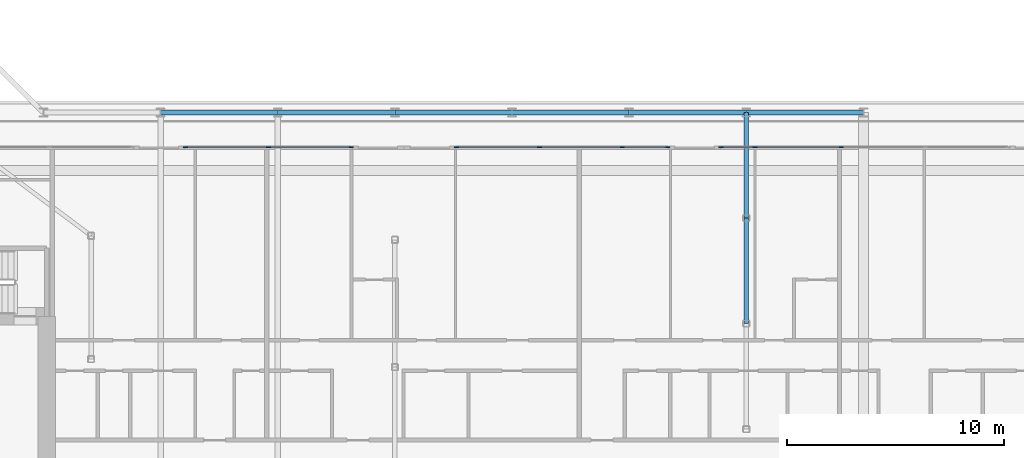
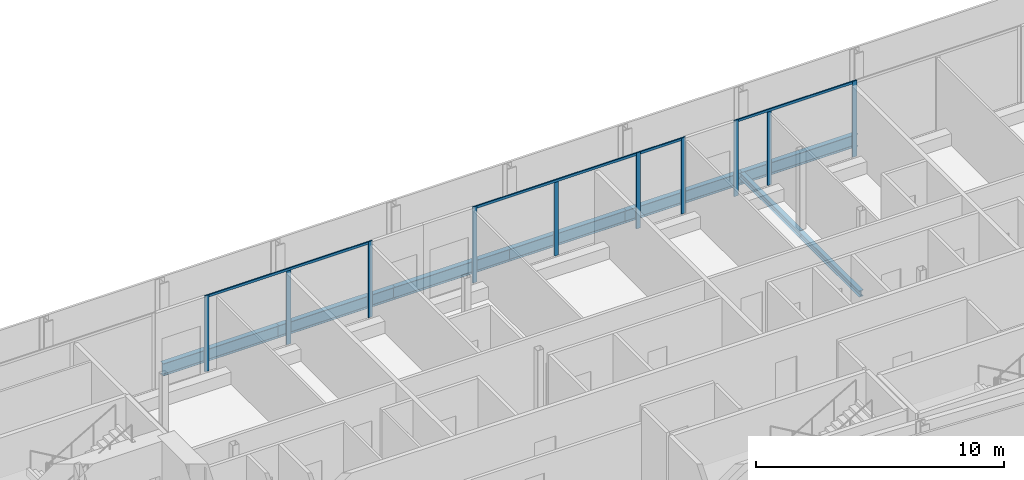
# One storey, part 8 of 29: 14 members, 8 beams, 4 elements without a shape of their own.
"""IFC4 building model written with IfcOpenShell, lengths in metres."""

from ifc_helpers import new_model, si_unit, direction, frame, origin, origin_2d, place, context, subcontext, project, spatial, rectangle, i_section, extrude, material, layer, layer_set, material_profile, profile_set, type_object, element, aggregate, save


model = new_model("IFC4")

# Units and contexts
model_context = context("Model", 3, precision=1e-05, world=origin(), true_north=direction((0.0, 1.0)))
body_context = subcontext(model_context, "Body", "Model", "MODEL_VIEW")
ifc_project = project(units=[si_unit("LENGTHUNIT", "METRE"), si_unit("AREAUNIT", "SQUARE_METRE"), si_unit("VOLUMEUNIT", "CUBIC_METRE"), si_unit("PLANEANGLEUNIT", "RADIAN"), si_unit("MASSUNIT", "GRAM", prefix="KILO")], contexts=[model_context])

# Site, building, storey
site_placement = place(None, origin())
site = spatial("IfcSite", under=ifc_project, at=site_placement, CompositionType="ELEMENT")
building_placement = place(site_placement, origin())
building = spatial("IfcBuilding", under=site, at=building_placement, Name="Kheshtan School and Residences Tower", CompositionType="ELEMENT")
storey_placement = place(building_placement, frame((0.0, 0.0, 179.89990234375)))
storey = spatial("IfcBuildingStorey", under=building, at=storey_placement, Name="L42", CompositionType="ELEMENT", Elevation=179.89990234375)

# Beams
ifc_material_1 = material(Name="Steel ASTM A992 Grade 50", Category="steel")
ifc_material_profile_1 = material_profile(ifc_material_1, i_section(OverallWidth=0.202880859375, OverallDepth=0.302978515625, WebThickness=0.007568359375, FlangeThickness=0.01318359375, FilletRadius=0.009033203125, at=origin_2d()), Name="W310x60")
ifc_profile_set_1 = profile_set([ifc_material_profile_1], Name="Steel ASTM A992 Grade 50")
beam_type_1 = type_object("IfcBeamType", Name="Beam FB1 W310x60 ASTM A992 Grade 50", PredefinedType="BEAM", material=ifc_profile_set_1)
for number, where, z_axis, x_axis, name in (
    (1, (85.39990234375, 45.60009765625, -0.301513671875), (0.0, -1.0, 0.0), (1.0, 0.0, 0.0), "Floor beam C067"),
    (2, (85.39990234375, 40.735107421875, -0.301513671875), (0.0, -1.0, 0.0), (1.0, 0.0, 0.0), "Floor beam IC"),
):
    element("IfcBeam", number, at=place(storey_placement, frame(where, z_axis=z_axis, x_axis=x_axis)), inside=storey, type_object=beam_type_1, Name=name, PredefinedType="BEAM", context=body_context, shape_type="SweptSolid", body=[
        extrude(i_section(OverallWidth=0.202880859375, OverallDepth=0.302978515625, WebThickness=0.007568359375, FlangeThickness=0.01318359375, FilletRadius=0.009033203125, at=origin_2d()), origin(), (0.0, 0.0, 1.0), 4.864990234375),
    ])
ifc_material_profile_2 = material_profile(ifc_material_1, i_section(OverallWidth=0.22802734375, OverallDepth=0.60302734375, WebThickness=0.010498046875, FlangeThickness=0.014892578125, FilletRadius=0.013427734375, at=origin_2d()), Name="W610x101")
ifc_profile_set_2 = profile_set([ifc_material_profile_2], Name="Steel ASTM A992 Grade 50")
beam_type_2 = type_object("IfcBeamType", Name="Beam SP2 W610x101 ASTM A992 Grade 50", PredefinedType="BEAM", material=ifc_profile_set_2)
beam_1_placement = place(storey_placement, frame((58.39990234375, 45.60009765625, -0.451416015625), z_axis=(1.0, 0.0, 0.0), x_axis=(0.0, 1.0, 0.0)))
element("IfcBeam", 3, at=beam_1_placement, inside=storey, type_object=beam_type_2, Name="Spandrel beam C062-C063", PredefinedType="BEAM", context=body_context, shape_type="SweptSolid", body=[
    extrude(i_section(OverallWidth=0.22802734375, OverallDepth=0.60302734375, WebThickness=0.010498046875, FlangeThickness=0.014892578125, FilletRadius=0.013427734375, at=origin_2d()), origin(), (0.0, 0.0, 1.0), 5.400146484375),
])
beam_2_placement = place(storey_placement, frame((63.800048828125, 45.60009765625, -0.451416015625), z_axis=(1.0, 0.0, 0.0), x_axis=(0.0, 1.0, 0.0)))
element("IfcBeam", 4, at=beam_2_placement, inside=storey, type_object=beam_type_2, Name="Spandrel beam C063-C064", PredefinedType="BEAM", context=body_context, shape_type="SweptSolid", body=[
    extrude(i_section(OverallWidth=0.22802734375, OverallDepth=0.60302734375, WebThickness=0.010498046875, FlangeThickness=0.014892578125, FilletRadius=0.013427734375, at=origin_2d()), origin(), (0.0, 0.0, 1.0), 5.39990234375),
])
beam_3_placement = place(storey_placement, frame((69.199951171875, 45.60009765625, -0.451416015625), z_axis=(1.0, 0.0, 0.0), x_axis=(0.0, 1.0, 0.0)))
element("IfcBeam", 5, at=beam_3_placement, inside=storey, type_object=beam_type_2, Name="Spandrel beam C064-C065", PredefinedType="BEAM", context=body_context, shape_type="SweptSolid", body=[
    extrude(i_section(OverallWidth=0.22802734375, OverallDepth=0.60302734375, WebThickness=0.010498046875, FlangeThickness=0.014892578125, FilletRadius=0.013427734375, at=origin_2d()), origin(), (0.0, 0.0, 1.0), 5.400146484375),
])
for number, where, z_axis, x_axis, name in (
    (6, (74.60009765625, 45.60009765625, -0.451416015625), (1.0, 0.0, 0.0), (0.0, 1.0, 0.0), "Spandrel beam C065-C066"),
    (7, (80.0, 45.60009765625, -0.451416015625), (1.0, 0.0, 0.0), (0.0, 1.0, 0.0), "Spandrel beam C066-C067"),
):
    element("IfcBeam", number, at=place(storey_placement, frame(where, z_axis=z_axis, x_axis=x_axis)), inside=storey, type_object=beam_type_2, Name=name, PredefinedType="BEAM", context=body_context, shape_type="SweptSolid", body=[
        extrude(i_section(OverallWidth=0.22802734375, OverallDepth=0.60302734375, WebThickness=0.010498046875, FlangeThickness=0.014892578125, FilletRadius=0.013427734375, at=origin_2d()), origin(), (0.0, 0.0, 1.0), 5.39990234375),
    ])
beam_4_placement = place(storey_placement, frame((85.39990234375, 45.60009765625, -0.451416015625), z_axis=(1.0, 0.0, 0.0), x_axis=(0.0, 1.0, 0.0)))
element("IfcBeam", 8, at=beam_4_placement, inside=storey, type_object=beam_type_2, Name="Spandrel beam C067-C068", PredefinedType="BEAM", context=body_context, shape_type="SweptSolid", body=[
    extrude(i_section(OverallWidth=0.22802734375, OverallDepth=0.60302734375, WebThickness=0.010498046875, FlangeThickness=0.014892578125, FilletRadius=0.013427734375, at=origin_2d()), origin(), (0.0, 0.0, 1.0), 5.400146484375),
])

# Curtain wall, members
ifc_material_2 = material(Name="Clear low-e glass in thermally broken aluminium frame", Category="aluminium")
ifc_layer = layer(ifc_material_2, 0.199951171875)
ifc_layer_set = layer_set([ifc_layer], Name="Curtain wall CW-L")
curtain_wall_type = type_object("IfcCurtainWallType", Name="Curtain wall CW-L", PredefinedType="NOTDEFINED", material=ifc_layer_set)
curtain_wall_1_placement = place(storey_placement, origin())
curtain_wall_1 = element("IfcCurtainWall", 9, at=curtain_wall_1_placement, inside=storey, type_object=curtain_wall_type, Name="Curtain wall CWL12j", PredefinedType="NOTDEFINED")
ifc_material_3 = material(Name="Thermally broken aluminium, dark bronze anodised", Category="aluminium")
ifc_material_profile_3 = material_profile(ifc_material_3, rectangle(XDim=0.06005859375, YDim=0.199951171875, at=origin_2d()), Name="CW-L mullion 60x200")
ifc_profile_set_3 = profile_set([ifc_material_profile_3], Name="Thermally broken aluminium, dark bronze anodised")
member_type_1 = type_object("IfcMemberType", Name="CW-L mullion 60x200", PredefinedType="MULLION", material=ifc_profile_set_3)
member_1_placement = place(storey_placement, frame((59.553955078125, 44.0, 0.0), z_axis=(0.0, 0.0, 1.0), x_axis=(0.0, 1.0, 0.0)))
member_1 = element("IfcMember", 10, at=member_1_placement, type_object=member_type_1, Name="CWL12j mullion 1", PredefinedType="MULLION", context=body_context, shape_type="SweptSolid", body=[
    extrude(rectangle(XDim=0.06005859375, YDim=0.199951171875, at=origin_2d()), origin(), (0.0, 0.0, 1.0), 3.75),
])
member_2_placement = place(storey_placement, frame((63.37109375, 44.0, 0.0), z_axis=(0.0, 0.0, 1.0), x_axis=(0.0, 1.0, 0.0)))
member_2 = element("IfcMember", 11, at=member_2_placement, type_object=member_type_1, Name="CWL12j mullion 2", PredefinedType="MULLION", context=body_context, shape_type="SweptSolid", body=[
    extrude(rectangle(XDim=0.06005859375, YDim=0.199951171875, at=origin_2d()), origin(), (0.0, 0.0, 1.0), 3.630126953125),
])
member_3_placement = place(storey_placement, frame((67.18798828125, 44.0, 0.0), z_axis=(0.0, 0.0, 1.0), x_axis=(0.0, 1.0, 0.0)))
member_3 = element("IfcMember", 12, at=member_3_placement, type_object=member_type_1, Name="CWL12j mullion 3", PredefinedType="MULLION", context=body_context, shape_type="SweptSolid", body=[
    extrude(rectangle(XDim=0.06005859375, YDim=0.199951171875, at=origin_2d()), origin(), (0.0, 0.0, 1.0), 3.75),
])

curtain_wall_2_placement = place(storey_placement, origin())
curtain_wall_2 = element("IfcCurtainWall", 13, at=curtain_wall_2_placement, inside=storey, type_object=curtain_wall_type, Name="Curtain wall CWL12j", PredefinedType="NOTDEFINED")
member_4_placement = place(storey_placement, frame((72.048095703125, 44.0, 0.0), z_axis=(0.0, 0.0, 1.0), x_axis=(0.0, 1.0, 0.0)))
member_4 = element("IfcMember", 14, at=member_4_placement, type_object=member_type_1, Name="CWL12j mullion 1", PredefinedType="MULLION", context=body_context, shape_type="SweptSolid", body=[
    extrude(rectangle(XDim=0.06005859375, YDim=0.199951171875, at=origin_2d()), origin(), (0.0, 0.0, 1.0), 3.75),
])
member_5_placement = place(storey_placement, frame((75.864990234375, 44.0, 0.0), z_axis=(0.0, 0.0, 1.0), x_axis=(0.0, 1.0, 0.0)))
member_5 = element("IfcMember", 15, at=member_5_placement, type_object=member_type_1, Name="CWL12j mullion 2", PredefinedType="MULLION", context=body_context, shape_type="SweptSolid", body=[
    extrude(rectangle(XDim=0.06005859375, YDim=0.199951171875, at=origin_2d()), origin(), (0.0, 0.0, 1.0), 3.630126953125),
])
member_6_placement = place(storey_placement, frame((79.681884765625, 44.0, 0.0), z_axis=(0.0, 0.0, 1.0), x_axis=(0.0, 1.0, 0.0)))
member_6 = element("IfcMember", 16, at=member_6_placement, type_object=member_type_1, Name="CWL12j mullion 3", PredefinedType="MULLION", context=body_context, shape_type="SweptSolid", body=[
    extrude(rectangle(XDim=0.06005859375, YDim=0.199951171875, at=origin_2d()), origin(), (0.0, 0.0, 1.0), 3.75),
])

# Curtain wall, member
curtain_wall_3_placement = place(storey_placement, origin())
curtain_wall_3 = element("IfcCurtainWall", 17, at=curtain_wall_3_placement, inside=storey, type_object=curtain_wall_type, Name="Curtain wall CWL12d", PredefinedType="NOTDEFINED")
member_7_placement = place(storey_placement, frame((81.781982421875, 44.0, 0.0), z_axis=(0.0, 0.0, 1.0), x_axis=(0.0, 1.0, 0.0)))
member_7 = element("IfcMember", 18, at=member_7_placement, type_object=member_type_1, Name="CWL12d mullion 2", PredefinedType="MULLION", context=body_context, shape_type="SweptSolid", body=[
    extrude(rectangle(XDim=0.06005859375, YDim=0.199951171875, at=origin_2d()), origin(), (0.0, 0.0, 1.0), 3.75),
])

# Curtain wall, members
curtain_wall_4_placement = place(storey_placement, origin())
curtain_wall_4 = element("IfcCurtainWall", 19, at=curtain_wall_4_placement, inside=storey, type_object=curtain_wall_type, Name="Curtain wall CWL12z", PredefinedType="NOTDEFINED")
member_8_placement = place(storey_placement, frame((84.241943359375, 44.0, 0.0), z_axis=(0.0, 0.0, 1.0), x_axis=(0.0, 1.0, 0.0)))
member_8 = element("IfcMember", 20, at=member_8_placement, type_object=member_type_1, Name="CWL12z mullion 1", PredefinedType="MULLION", context=body_context, shape_type="SweptSolid", body=[
    extrude(rectangle(XDim=0.06005859375, YDim=0.199951171875, at=origin_2d()), origin(), (0.0, 0.0, 1.0), 3.75),
])
member_9_placement = place(storey_placement, frame((85.800048828125, 44.0, 0.0), z_axis=(0.0, 0.0, 1.0), x_axis=(0.0, 1.0, 0.0)))
member_9 = element("IfcMember", 21, at=member_9_placement, type_object=member_type_1, Name="CWL12z mullion 2", PredefinedType="MULLION", context=body_context, shape_type="SweptSolid", body=[
    extrude(rectangle(XDim=0.06005859375, YDim=0.199951171875, at=origin_2d()), origin(), (0.0, 0.0, 1.0), 3.630126953125),
])
member_10_placement = place(storey_placement, frame((89.77587890625, 44.0, 0.0), z_axis=(0.0, 0.0, 1.0), x_axis=(0.0, 1.0, 0.0)))
member_10 = element("IfcMember", 22, at=member_10_placement, type_object=member_type_1, Name="CWL12z mullion 3", PredefinedType="MULLION", context=body_context, shape_type="SweptSolid", body=[
    extrude(rectangle(XDim=0.06005859375, YDim=0.199951171875, at=origin_2d()), origin(), (0.0, 0.0, 1.0), 3.75),
])

# Member
ifc_material_profile_4 = material_profile(ifc_material_3, rectangle(XDim=0.06005859375, YDim=0.1201171875, at=origin_2d()), Name="CW-L transom 60x120")
ifc_profile_set_4 = profile_set([ifc_material_profile_4], Name="Thermally broken aluminium, dark bronze anodised")
member_type_2 = type_object("IfcMemberType", Name="CW-L transom 60x120", PredefinedType="USERDEFINED", material=ifc_profile_set_4)
member_11_placement = place(storey_placement, frame((59.583984375, 44.0, 3.690185546875), z_axis=(1.0, 0.0, 0.0), x_axis=(0.0, 1.0, 0.0)))
member_11 = element("IfcMember", 23, at=member_11_placement, type_object=member_type_2, Name="CWL12j transom 1", ObjectType="TRANSOM", PredefinedType="USERDEFINED", context=body_context, shape_type="SweptSolid", body=[
    extrude(rectangle(XDim=0.06005859375, YDim=0.1201171875, at=origin_2d()), origin(), (0.0, 0.0, 1.0), 7.573974609375),
])

aggregate(curtain_wall_1, [member_1, member_2, member_3, member_11])

member_12_placement = place(storey_placement, frame((72.077880859375, 44.0, 3.690185546875), z_axis=(1.0, 0.0, 0.0), x_axis=(0.0, 1.0, 0.0)))
member_12 = element("IfcMember", 24, at=member_12_placement, type_object=member_type_2, Name="CWL12j transom 1", ObjectType="TRANSOM", PredefinedType="USERDEFINED", context=body_context, shape_type="SweptSolid", body=[
    extrude(rectangle(XDim=0.06005859375, YDim=0.1201171875, at=origin_2d()), origin(), (0.0, 0.0, 1.0), 7.57421875),
])

aggregate(curtain_wall_2, [member_4, member_5, member_6, member_12])

member_13_placement = place(storey_placement, frame((79.7119140625, 44.0, 3.690185546875), z_axis=(1.0, 0.0, 0.0), x_axis=(0.0, 1.0, 0.0)))
member_13 = element("IfcMember", 25, at=member_13_placement, type_object=member_type_2, Name="CWL12d transom 1", ObjectType="TRANSOM", PredefinedType="USERDEFINED", context=body_context, shape_type="SweptSolid", body=[
    extrude(rectangle(XDim=0.06005859375, YDim=0.1201171875, at=origin_2d()), origin(), (0.0, 0.0, 1.0), 2.0400390625),
])

aggregate(curtain_wall_3, [member_7, member_13])

member_14_placement = place(storey_placement, frame((84.27197265625, 44.0, 3.690185546875), z_axis=(1.0, 0.0, 0.0), x_axis=(0.0, 1.0, 0.0)))
member_14 = element("IfcMember", 26, at=member_14_placement, type_object=member_type_2, Name="CWL12z transom 1", ObjectType="TRANSOM", PredefinedType="USERDEFINED", context=body_context, shape_type="SweptSolid", body=[
    extrude(rectangle(XDim=0.06005859375, YDim=0.1201171875, at=origin_2d()), origin(), (0.0, 0.0, 1.0), 5.47412109375),
])

aggregate(curtain_wall_4, [member_8, member_9, member_10, member_14])

save(model, "model.ifc")
